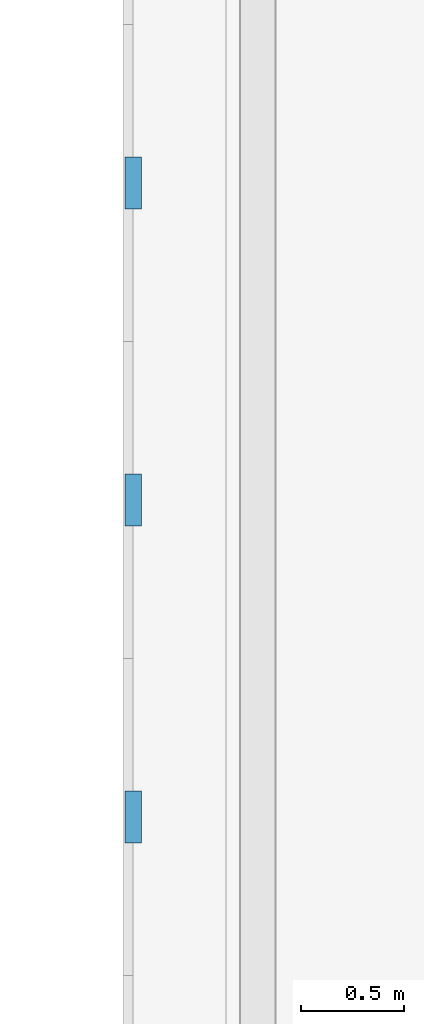
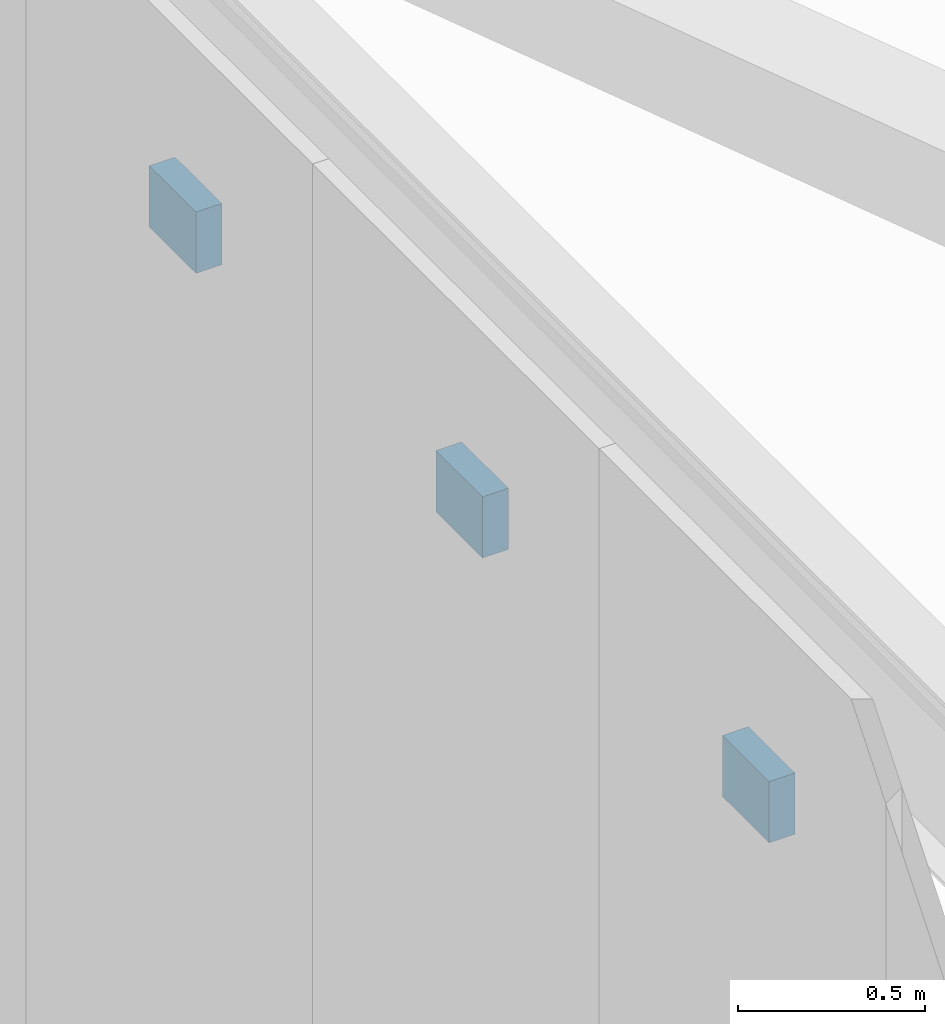
# One storey, part 161 of 278: 3 discrete accessories.
"""IFC4 building model written with IfcOpenShell, lengths in metres."""

from ifc_helpers import new_model, si_unit, direction, frame, origin, origin_2d, place, context, subcontext, project, spatial, rectangle, extrude, material, layer, layer_set, type_object, element, save


model = new_model("IFC4")

# Units and contexts
model_context = context("Model", 3, precision=1e-05, world=origin(), true_north=direction((0.0, 1.0)))
body_context = subcontext(model_context, "Body", "Model", "MODEL_VIEW")
ifc_project = project(units=[si_unit("LENGTHUNIT", "METRE"), si_unit("AREAUNIT", "SQUARE_METRE"), si_unit("VOLUMEUNIT", "CUBIC_METRE"), si_unit("PLANEANGLEUNIT", "RADIAN"), si_unit("MASSUNIT", "GRAM", prefix="KILO")], contexts=[model_context])

# Site, building, storey
site_placement = place(None, origin())
site = spatial("IfcSite", under=ifc_project, at=site_placement, CompositionType="ELEMENT")
building_placement = place(site_placement, origin())
building = spatial("IfcBuilding", under=site, at=building_placement, Name="Ogive Plaza Stadium", CompositionType="ELEMENT")
storey_placement = place(building_placement, frame((0.0, 0.0, 29.0)))
storey = spatial("IfcBuildingStorey", under=building, at=storey_placement, Name="Roof", CompositionType="ELEMENT", Elevation=29.0)

# Discrete accessories
ifc_material = material(Name="Steel ASTM A572 Grade 50", Category="steel")
ifc_layer = layer(ifc_material, 0.080078125)
ifc_layer_set = layer_set([ifc_layer], Name="Steel ASTM A572 Grade 50")
discrete_accessory_type = type_object("IfcDiscreteAccessoryType", Name="Tracery screen bracket 250x200", PredefinedType="BRACKET", material=ifc_layer_set)
for number, where, z_axis, x_axis, name in (
    (1, (-84.602294921875, -3.066650390625, 5.25), (0.0, 0.0, 1.0), (0.0, 1.0, 0.0), "TRACERY SCREEN BRACKET B24 3"),
    (2, (-84.602294921875, -1.533203125, 5.25), (0.0, 0.0, 1.0), (0.0, 1.0, 0.0), "TRACERY SCREEN BRACKET B24 4"),
    (3, (-84.602294921875, 0.0, 5.25), (0.0, 0.0, 1.0), (0.0, 1.0, 0.0), "TRACERY SCREEN BRACKET B24 5"),
):
    element("IfcDiscreteAccessory", number, at=place(storey_placement, frame(where, z_axis=z_axis, x_axis=x_axis)), inside=storey, type_object=discrete_accessory_type, Name=name, PredefinedType="BRACKET", context=body_context, shape_type="SweptSolid", body=[
        extrude(rectangle(XDim=0.25, YDim=0.080078125, at=origin_2d()), origin(), (0.0, 0.0, 1.0), 0.199951171875),
    ])

save(model, "model.ifc")
